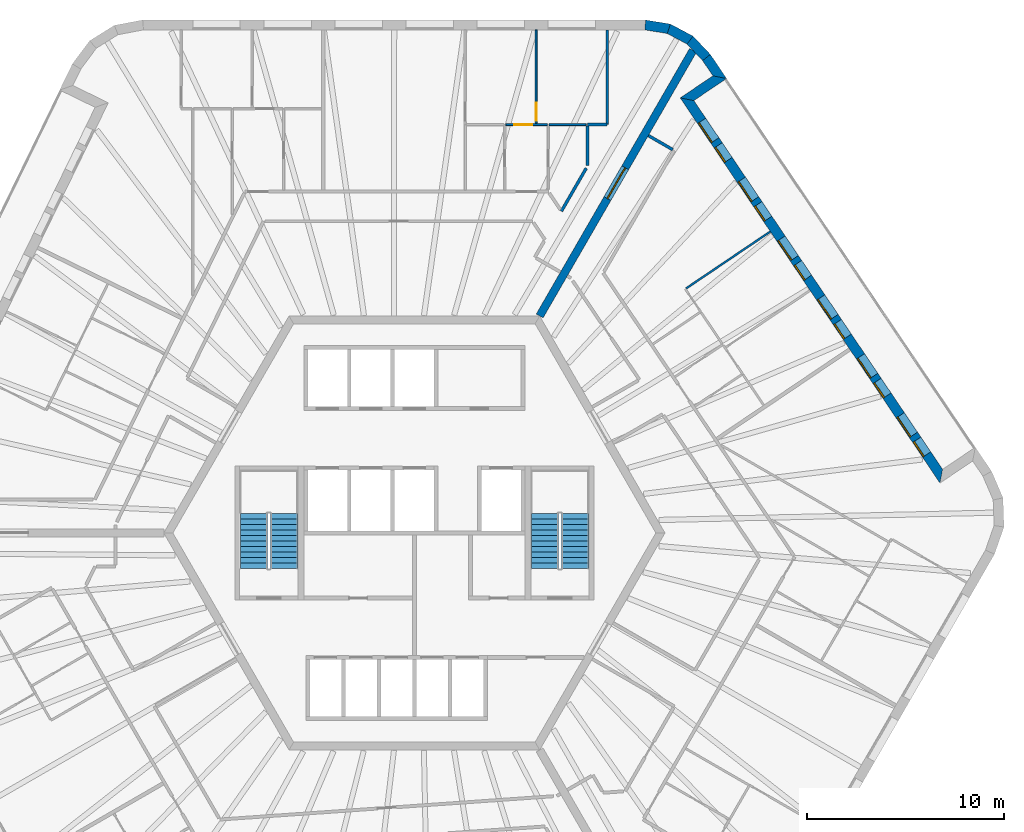
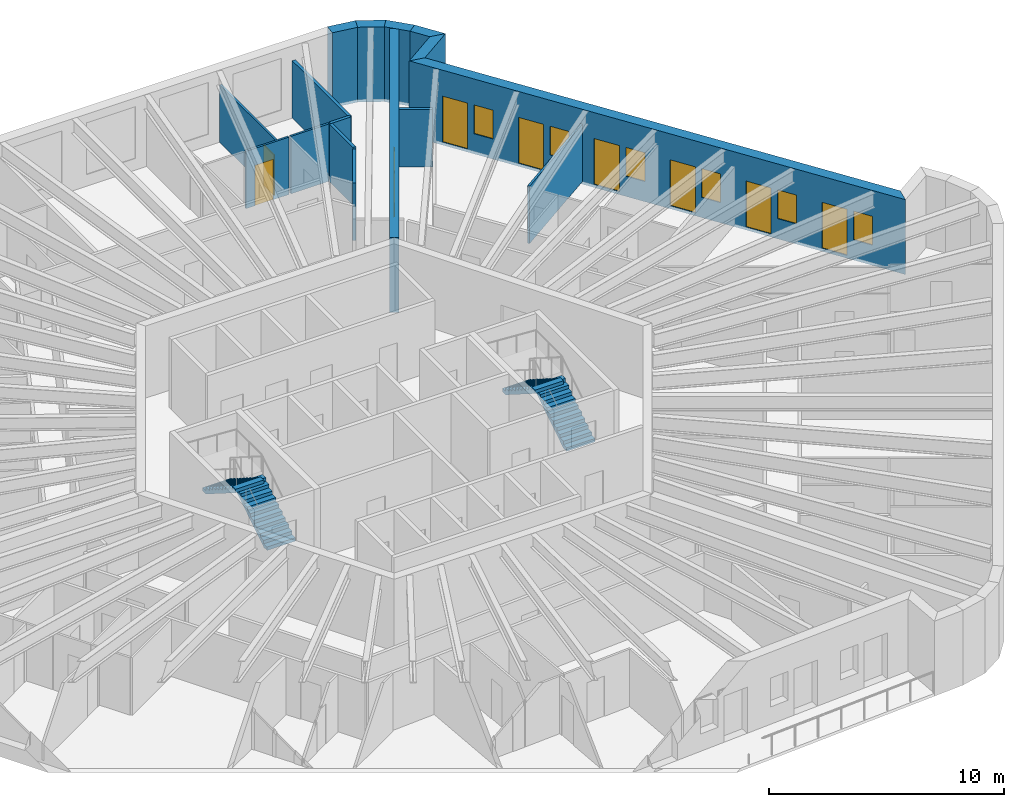
# One storey, part 11 of 12: 16 walls, 9 doors, 6 windows, 4 stair flights, 15 openings, 2 elements without a shape of their own.
"""IFC4 building model written with IfcOpenShell, lengths in metres."""

import ifcopenshell
import ifcopenshell.guid

model = None  # the IFC model being written
_history = None  # IfcOwnerHistory: only IFC2X3 demands one
_inside = {}  # id of a spatial element -> (the spatial element, [elements in it])
_under = {}  # id of a project, library or spatial element -> (it, [spatial elements below it])
_declared = {}  # id of a project -> (the project, [libraries it declares])
_typed = {}  # id of a type object -> (the type object, [elements of that type])
_made_of = {}  # id of a material, layer set ... -> (it, [elements and type objects made of it])


def new_model(schema):
    """Start an empty IFC model of exactly this schema.

    Asked for "IFC4X3", IfcOpenShell would pick the latest addendum, in which some entities
    have other attributes; the version numbers below select the first issue.
    IFC2X3 requires an IfcOwnerHistory on every rooted entity: one is made here for all.
    """
    global model, _history
    if schema == "IFC4X3":
        model = ifcopenshell.file(schema_version=(4, 3, 0, 0))
    else:
        model = ifcopenshell.file(schema=schema)
    _inside.clear()
    _under.clear()
    _declared.clear()
    _typed.clear()
    _made_of.clear()
    _history = None
    if model.schema == "IFC2X3":
        org = make("IfcOrganization", Name="unknown")
        user = make(
            "IfcPersonAndOrganization",
            ThePerson=make("IfcPerson", FamilyName="unknown"),
            TheOrganization=org,
        )
        app = make(
            "IfcApplication",
            ApplicationDeveloper=org,
            Version="unknown",
            ApplicationFullName="unknown",
            ApplicationIdentifier="unknown",
        )
        _history = make(
            "IfcOwnerHistory",
            OwningUser=user,
            OwningApplication=app,
            ChangeAction="ADDED",
            CreationDate=0,
        )
    return model


def make(cls, **values):
    """One entity of the class cls with the attributes given. An attribute that is None is left unset."""
    return model.create_entity(
        cls, **{name: value for name, value in values.items() if value is not None}
    )


def rooted(cls, **values):
    """An entity with a GlobalId (a new one), such as an element, a storey or a relation."""
    return make(cls, GlobalId=ifcopenshell.guid.new(), OwnerHistory=_history, **values)


def si_unit(unit_type, name, prefix=None):
    """IfcSIUnit, for example si_unit("LENGTHUNIT", "METRE", prefix="MILLI")."""
    return make("IfcSIUnit", UnitType=unit_type, Prefix=prefix, Name=name)


def assignment(units):
    """IfcUnitAssignment: the units of a project."""
    return None if units is None else make("IfcUnitAssignment", Units=units)


def point(xyz):
    """IfcCartesianPoint."""
    return None if xyz is None else make("IfcCartesianPoint", Coordinates=xyz)


def direction(xyz):
    """IfcDirection."""
    return None if xyz is None else make("IfcDirection", DirectionRatios=xyz)


def frame(location, z_axis=None, x_axis=None):
    """IfcAxis2Placement3D, a coordinate frame: its origin and axes. An axis left out is left unset."""
    return make(
        "IfcAxis2Placement3D",
        Location=point(location),
        Axis=direction(z_axis),
        RefDirection=direction(x_axis),
    )


def frame_2d(location, x_axis=None):
    """IfcAxis2Placement2D, a coordinate frame in the plane: its origin and x axis."""
    return make(
        "IfcAxis2Placement2D", Location=point(location), RefDirection=direction(x_axis)
    )


def origin():
    """The frame at (0, 0, 0) with its axes left unset."""
    return frame((0.0, 0.0, 0.0))


def place(relative_to, where):
    """IfcLocalPlacement: puts the frame where relative to a parent placement (None: the world)."""
    return make(
        "IfcLocalPlacement", PlacementRelTo=relative_to, RelativePlacement=where
    )


def context(
    kind, dimensions, precision=None, world=None, true_north=None, identifier=None
):
    """IfcGeometricRepresentationContext, for example the 3D "Model" context."""
    return make(
        "IfcGeometricRepresentationContext",
        ContextIdentifier=identifier,
        ContextType=kind,
        CoordinateSpaceDimension=dimensions,
        Precision=precision,
        WorldCoordinateSystem=world,
        TrueNorth=true_north,
    )


def subcontext(parent, identifier, kind, view, scale=None):
    """IfcGeometricRepresentationSubContext, for example "Body" below "Model"."""
    return make(
        "IfcGeometricRepresentationSubContext",
        ContextIdentifier=identifier,
        ContextType=kind,
        ParentContext=parent,
        TargetScale=scale,
        TargetView=view,
    )


def project(units=None, contexts=None):
    """IfcProject with its units and contexts."""
    return rooted(
        "IfcProject",
        Name="project",
        RepresentationContexts=contexts,
        UnitsInContext=assignment(units),
    )


def spatial(cls, under=None, at=None, **own):
    """A site, building, storey or space (cls), placed at a placement, below another one or the project."""
    s = rooted(cls, ObjectPlacement=at, **own)
    if under is not None:
        _under.setdefault(under.id(), (under, []))[1].append(s)
    return s


def polyline(points):
    """IfcPolyline through the points."""
    return make("IfcPolyline", Points=[point(p) for p in points])


def profile(cls, at=None, kind="AREA", **sizes):
    """A parametric profile (cls). Its sizes go by their IFC names, for example OverallWidth=200.0."""
    return make(cls, ProfileType=kind, Position=at, **sizes)


def rectangle(**sizes):
    """IfcRectangleProfileDef."""
    return profile("IfcRectangleProfileDef", **sizes)


def outline(outer, holes=None, kind="AREA"):
    """IfcArbitraryClosedProfileDef: a profile drawn as a closed curve; with holes, ...WithVoids."""
    if holes is None:
        return make("IfcArbitraryClosedProfileDef", ProfileType=kind, OuterCurve=outer)
    return make(
        "IfcArbitraryProfileDefWithVoids",
        ProfileType=kind,
        OuterCurve=outer,
        InnerCurves=holes,
    )


def extrude(swept, where, along, depth):
    """IfcExtrudedAreaSolid: the profile swept, set in the frame where, extruded along a direction by depth."""
    return make(
        "IfcExtrudedAreaSolid",
        SweptArea=swept,
        Position=where,
        ExtrudedDirection=direction(along),
        Depth=depth,
    )


def shape(context_of_items, identifier, shape_type, items):
    """IfcShapeRepresentation: the items that make up one representation, for example the "Body"."""
    return make(
        "IfcShapeRepresentation",
        ContextOfItems=context_of_items,
        RepresentationIdentifier=identifier,
        RepresentationType=shape_type,
        Items=items,
    )


def material(Name=None, Category=None):
    """IfcMaterial."""
    return make("IfcMaterial", Name=Name, Category=Category)


def layer(
    of_material, thickness, ventilated=None, Name=None, Category=None, Priority=None
):
    """IfcMaterialLayer: one layer of a wall or slab, of a material (None: an air gap)."""
    return make(
        "IfcMaterialLayer",
        Material=of_material,
        LayerThickness=thickness,
        IsVentilated=ventilated,
        Name=Name,
        Category=Category,
        Priority=Priority,
    )


def layer_set(layers, Name=None):
    """IfcMaterialLayerSet."""
    return make("IfcMaterialLayerSet", MaterialLayers=layers, LayerSetName=Name)


def made_of(thing, what):
    """Note that an element or type object is made of a material, layer set ...; save() writes the relation."""
    if what is not None:
        _made_of.setdefault(what.id(), (what, []))[1].append(thing)
    return thing


def type_object(cls, material=None, **own):
    """A type object (cls), such as IfcWallType, which elements share."""
    return made_of(rooted(cls, **own), material)


def element(
    cls,
    number,
    at=None,
    inside=None,
    cuts=None,
    type_object=None,
    material=None,
    context=None,
    identifier="Body",
    shape_type=None,
    held_by="IfcProductDefinitionShape",
    body=None,
    shapes=None,
    **own,
):
    """One element of the class cls, such as IfcWall. Its Tag is "e" and its number.

    at: its placement. inside: the storey or other place that contains it. cuts: it is an
    opening in that element (IfcRelVoidsElement). A single representation is given by context,
    identifier, shape_type and body (its items); several are given by shapes. held_by: the class
    of the entity that holds the representations. save() writes the other relations.
    """
    e = rooted(cls, Tag="e%d" % number, ObjectPlacement=at, **own)
    if body is not None:
        shapes = [shape(context, identifier, shape_type, body)]
    if shapes is not None:
        e.Representation = make(held_by, Representations=shapes)
    if inside is not None:
        _inside.setdefault(inside.id(), (inside, []))[1].append(e)
    if cuts is not None:
        rooted(
            "IfcRelVoidsElement", RelatingBuildingElement=cuts, RelatedOpeningElement=e
        )
    if type_object is not None:
        _typed.setdefault(type_object.id(), (type_object, []))[1].append(e)
    return made_of(e, material)


def fill(opening, filler):
    """IfcRelFillsElement: the door or window that sits in an opening."""
    return rooted(
        "IfcRelFillsElement",
        RelatingOpeningElement=opening,
        RelatedBuildingElement=filler,
    )


def aggregate(whole, parts):
    """IfcRelAggregates: a whole, such as a stair, and the parts it consists of."""
    return rooted("IfcRelAggregates", RelatingObject=whole, RelatedObjects=parts)


def save(model, path):
    """Write the relations noted so far, then the file.

    IfcRelAggregates (storeys below a building ...), IfcRelContainedInSpatialStructure (elements
    in a storey), IfcRelDefinesByType, IfcRelAssociatesMaterial and IfcRelDeclares: one each for
    every whole, place, type object, material and project.
    """
    for whole, parts in _under.values():
        aggregate(whole, parts)
    for where, things in _inside.values():
        rooted(
            "IfcRelContainedInSpatialStructure",
            RelatedElements=things,
            RelatingStructure=where,
        )
    for kind, things in _typed.values():
        rooted("IfcRelDefinesByType", RelatedObjects=things, RelatingType=kind)
    for what, things in _made_of.values():
        rooted("IfcRelAssociatesMaterial", RelatedObjects=things, RelatingMaterial=what)
    for by, libraries in _declared.values():
        rooted("IfcRelDeclares", RelatingContext=by, RelatedDefinitions=libraries)
    model.write(path)


model = new_model("IFC4")

# Units and contexts
model_context = context("Model", 3, precision=1e-05, world=origin(), true_north=direction((0.0, 1.0)))
body_context = subcontext(model_context, "Body", "Model", "MODEL_VIEW")
ifc_project = project(units=[si_unit("LENGTHUNIT", "METRE"), si_unit("AREAUNIT", "SQUARE_METRE"), si_unit("VOLUMEUNIT", "CUBIC_METRE"), si_unit("PLANEANGLEUNIT", "RADIAN"), si_unit("MASSUNIT", "GRAM", prefix="KILO")], contexts=[model_context])

# Site, building, storey
site_placement = place(None, origin())
site = spatial("IfcSite", under=ifc_project, at=site_placement, CompositionType="ELEMENT")
building_placement = place(site_placement, origin())
building = spatial("IfcBuilding", under=site, at=building_placement, Name="Tarnside Tower", CompositionType="ELEMENT")
storey_placement = place(building_placement, frame((0.0, 0.0, 287.39990234375)))
storey = spatial("IfcBuildingStorey", under=building, at=storey_placement, Name="L69", CompositionType="ELEMENT", Elevation=287.39990234375)

# Wall
ifc_material_1 = material(Name="Gypsum board partition on steel studs", Category="steel")
ifc_layer_1 = layer(ifc_material_1, 0.10009765625)
ifc_layer_set_1 = layer_set([ifc_layer_1], Name="Bathroom wall 100")
wall_type_1 = type_object("IfcWallType", Name="Bathroom wall 100", PredefinedType="PARTITIONING", material=ifc_layer_set_1)
wall_1_placement = place(storey_placement, frame((6.836181640625, 20.699951171875, 0.0), z_axis=(0.0, 0.0, 1.0), x_axis=(1.0, 0.0, 0.0)))
element("IfcWall", 1, at=wall_1_placement, inside=storey, type_object=wall_type_1, Name="Bathroom wall 22094", PredefinedType="PARTITIONING", context=body_context, shape_type="SweptSolid", body=[
    extrude(rectangle(XDim=1.875, YDim=0.10009765625, at=frame_2d((0.9375, 0.0))), origin(), (0.0, 0.0, 1.0), 2.98779296875),
])

# Wall, opening, door
ifc_material_2 = material(Name="Concrete C60/75", Category="concrete")
ifc_layer_2 = layer(ifc_material_2, 0.39990234375)
ifc_layer_set_2 = layer_set([ifc_layer_2], Name="Core wall Z3 400 C60/75")
wall_type_2 = type_object("IfcWallType", Name="Core wall Z3 400 C60/75", PredefinedType="SHEAR", material=ifc_layer_set_2)
wall_2_placement = place(storey_placement, frame((6.350830078125, 11.0, -0.14990234375), z_axis=(0.0, 0.0, 1.0), x_axis=(0.499998894578, 0.866026041999, 0.0)))
wall_2 = element("IfcWall", 2, at=wall_2_placement, inside=storey, type_object=wall_type_2, Name="L69 spine wall 1", PredefinedType="SHEAR", context=body_context, shape_type="SweptSolid", body=[
    extrude(rectangle(XDim=15.54443359375, YDim=0.39990234375, at=frame_2d((7.772216796875, 0.0))), origin(), (0.0, 0.0, 1.0), 3.89990234375),
])
opening_1_placement = place(wall_2_placement, frame((6.872314453125, 0.0, 0.14990234375)))
opening_1 = element("IfcOpeningElement", 3, at=opening_1_placement, cuts=wall_2, Name="Opening CD-SPN", PredefinedType="OPENING", context=body_context, shape_type="SweptSolid", body=[
    extrude(rectangle(XDim=1.800048828125, YDim=2.39990234375, at=frame_2d((0.89990234375, 1.199951171875))), frame((0.0, 0.2099609375, 0.0), z_axis=(0.0, -1.0, 0.0), x_axis=(1.0, 0.0, 0.0)), (0.0, 0.0, 1.0), 0.419921875),
])
ifc_material_3 = material(Name="Steel fire door", Category="steel")
door_type_1 = type_object("IfcDoorType", Name="Spine passage double door FD60 1800x2400", OperationType="NOTDEFINED", PredefinedType="DOOR", material=ifc_material_3)
door_1_placement = place(opening_1_placement, origin())
door_1 = element("IfcDoor", 4, at=door_1_placement, inside=storey, type_object=door_type_1, Name="L69 spine passage door 1", OperationType="DOUBLE_DOOR_SINGLE_SWING", OverallHeight=2.39990234375, OverallWidth=1.800048828125, PredefinedType="DOOR", context=body_context, shape_type="SweptSolid", body=[
    extrude(rectangle(XDim=1.800048828125, YDim=2.39990234375, at=frame_2d((0.89990234375, 1.199951171875))), frame((0.0, 0.02490234375, 0.0), z_axis=(0.0, -1.0, 0.0), x_axis=(1.0, 0.0, 0.0)), (0.0, 0.0, 1.0), 0.050048828125),
])
fill(opening_1, door_1)

# Walls
ifc_layer_3 = layer(ifc_material_1, 0.14990234375)
ifc_layer_set_3 = layer_set([ifc_layer_3], Name="Corridor wall 150 EI 60")
wall_type_3 = type_object("IfcWallType", Name="Corridor wall 150 EI 60", PredefinedType="PARTITIONING", material=ifc_layer_set_3)
wall_3_placement = place(storey_placement, frame((9.77392578125, 20.699951171875, 0.0), z_axis=(0.0, 0.0, 1.0), x_axis=(-1.0, 0.0, 0.0)))
element("IfcWall", 5, at=wall_3_placement, inside=storey, type_object=wall_type_3, Name="Corridor wall 22004", PredefinedType="PARTITIONING", context=body_context, shape_type="SweptSolid", body=[
    extrude(rectangle(XDim=0.991455078125, YDim=0.14990234375, at=frame_2d((0.49560546875, 0.0))), origin(), (0.0, 0.0, 1.0), 2.98779296875),
])
wall_4_placement = place(storey_placement, frame((9.775146484375, 25.5, 0.0), z_axis=(0.0, 0.0, 1.0), x_axis=(0.0, -1.0, 0.0)))
element("IfcWall", 6, at=wall_4_placement, inside=storey, type_object=wall_type_3, Name="Corridor wall 22005", PredefinedType="PARTITIONING", context=body_context, shape_type="SweptSolid", body=[
    extrude(rectangle(XDim=4.798828125, YDim=0.14990234375, at=frame_2d((2.3994140625, 0.0))), origin(), (0.0, 0.0, 1.0), 2.98779296875),
])
wall_5_placement = place(storey_placement, frame((8.7861328125, 20.625, 0.0), z_axis=(0.0, 0.0, 1.0), x_axis=(0.0, -1.0, 0.0)))
element("IfcWall", 7, at=wall_5_placement, inside=storey, type_object=wall_type_3, Name="Corridor wall 22006", PredefinedType="PARTITIONING", context=body_context, shape_type="SweptSolid", body=[
    extrude(rectangle(XDim=2.007080078125, YDim=0.14990234375, at=frame_2d((1.00341796875, 0.0))), origin(), (0.0, 0.0, 1.0), 2.98779296875),
])
wall_6_placement = place(storey_placement, frame((8.711181640625, 18.488037109375, 0.0), z_axis=(0.0, 0.0, 1.0), x_axis=(-0.500075402517, -0.865981865744, 0.0)))
element("IfcWall", 8, at=wall_6_placement, inside=storey, type_object=wall_type_3, Name="Corridor wall 22007", PredefinedType="PARTITIONING", context=body_context, shape_type="SweptSolid", body=[
    extrude(rectangle(XDim=2.5146484375, YDim=0.14990234375, at=frame_2d((1.25732421875, 0.0))), origin(), (0.0, 0.0, 1.0), 2.98779296875),
])
wall_7_placement = place(storey_placement, frame((13.09423828125, 19.429931640625, 0.0), z_axis=(0.0, 0.0, 1.0), x_axis=(-0.866062911188, 0.499935029643, 0.0)))
element("IfcWall", 9, at=wall_7_placement, inside=storey, type_object=wall_type_3, Name="Corridor wall 22068", PredefinedType="PARTITIONING", context=body_context, shape_type="SweptSolid", body=[
    extrude(rectangle(XDim=1.425048828125, YDim=0.14990234375, at=frame_2d((0.71240234375, 0.0))), origin(), (0.0, 0.0, 1.0), 2.98779296875),
])

# Wall, openings, doors, windows
ifc_material_4 = material(Name="Dark zinc cladding")
ifc_layer_4 = layer(ifc_material_4, 0.10205078125)
ifc_material_5 = material(Name="Concrete C60/75 precast", Category="concrete")
ifc_layer_5 = layer(ifc_material_5, 0.298095703125)
ifc_material_6 = material(Name="Mineral wool insulation")
ifc_layer_6 = layer(ifc_material_6, 0.10009765625)
ifc_layer_set_4 = layer_set([ifc_layer_4, ifc_layer_5, ifc_layer_6], Name="Loggia wall 500 zinc faced")
wall_type_4 = type_object("IfcWallType", Name="Loggia wall 500 zinc faced", PredefinedType="SOLIDWALL", material=ifc_layer_set_4)
wall_8_placement = place(storey_placement, frame((26.705810546875, 2.87890625, -0.14990234375), z_axis=(0.0, 0.0, 1.0), x_axis=(-0.559197891507, 0.829034208061, 0.0)))
wall_8 = element("IfcWall", 10, at=wall_8_placement, inside=storey, type_object=wall_type_4, Name="Tube wall L69 F6 back 30", PredefinedType="SOLIDWALL", context=body_context, shape_type="SweptSolid", body=[
    extrude(outline(polyline([(0.25, -0.25), (22.794677734375, -0.25), (23.294677734375, 0.25), (-0.25, 0.25), (0.25, -0.25)])), origin(), (0.0, 0.0, 1.0), 3.89990234375),
])
opening_2_placement = place(wall_8_placement, frame((1.322509765625, 0.0, 1.050048828125)))
opening_2 = element("IfcOpeningElement", 11, at=opening_2_placement, cuts=wall_8, Name="Opening WL500", PredefinedType="OPENING", context=body_context, shape_type="SweptSolid", body=[
    extrude(rectangle(XDim=0.89990234375, YDim=1.5, at=frame_2d((0.449951171875, 0.75))), frame((0.0, 0.260009765625, 0.0), z_axis=(0.0, -1.0, 0.0), x_axis=(1.0, 0.0, 0.0)), (0.0, 0.0, 1.0), 0.52001953125),
])
opening_3_placement = place(wall_8_placement, frame((2.5224609375, 0.0, 0.14990234375)))
opening_3 = element("IfcOpeningElement", 12, at=opening_3_placement, cuts=wall_8, Name="Opening DB500", PredefinedType="OPENING", context=body_context, shape_type="SweptSolid", body=[
    extrude(rectangle(XDim=1.199951171875, YDim=2.39990234375, at=frame_2d((0.60009765625, 1.199951171875))), frame((0.0, 0.260009765625, 0.0), z_axis=(0.0, -1.0, 0.0), x_axis=(1.0, 0.0, 0.0)), (0.0, 0.0, 1.0), 0.52001953125),
])
opening_4_placement = place(wall_8_placement, frame((4.92236328125, 0.0, 1.050048828125)))
opening_4 = element("IfcOpeningElement", 13, at=opening_4_placement, cuts=wall_8, Name="Opening WL500", PredefinedType="OPENING", context=body_context, shape_type="SweptSolid", body=[
    extrude(rectangle(XDim=0.89990234375, YDim=1.5, at=frame_2d((0.449951171875, 0.75))), frame((0.0, 0.260009765625, 0.0), z_axis=(0.0, -1.0, 0.0), x_axis=(1.0, 0.0, 0.0)), (0.0, 0.0, 1.0), 0.52001953125),
])
opening_5_placement = place(wall_8_placement, frame((6.122314453125, 0.0, 0.14990234375)))
opening_5 = element("IfcOpeningElement", 14, at=opening_5_placement, cuts=wall_8, Name="Opening DB500", PredefinedType="OPENING", context=body_context, shape_type="SweptSolid", body=[
    extrude(rectangle(XDim=1.199951171875, YDim=2.39990234375, at=frame_2d((0.60009765625, 1.199951171875))), frame((0.0, 0.260009765625, 0.0), z_axis=(0.0, -1.0, 0.0), x_axis=(1.0, 0.0, 0.0)), (0.0, 0.0, 1.0), 0.52001953125),
])
opening_6_placement = place(wall_8_placement, frame((8.5224609375, 0.0, 1.050048828125)))
opening_6 = element("IfcOpeningElement", 15, at=opening_6_placement, cuts=wall_8, Name="Opening WL500", PredefinedType="OPENING", context=body_context, shape_type="SweptSolid", body=[
    extrude(rectangle(XDim=0.89990234375, YDim=1.5, at=frame_2d((0.449951171875, 0.75))), frame((0.0, 0.260009765625, 0.0), z_axis=(0.0, -1.0, 0.0), x_axis=(1.0, 0.0, 0.0)), (0.0, 0.0, 1.0), 0.52001953125),
])
opening_7_placement = place(wall_8_placement, frame((9.722412109375, 0.0, 0.14990234375)))
opening_7 = element("IfcOpeningElement", 16, at=opening_7_placement, cuts=wall_8, Name="Opening DB500", PredefinedType="OPENING", context=body_context, shape_type="SweptSolid", body=[
    extrude(rectangle(XDim=1.199951171875, YDim=2.39990234375, at=frame_2d((0.60009765625, 1.199951171875))), frame((0.0, 0.260009765625, 0.0), z_axis=(0.0, -1.0, 0.0), x_axis=(1.0, 0.0, 0.0)), (0.0, 0.0, 1.0), 0.52001953125),
])
opening_8_placement = place(wall_8_placement, frame((12.122314453125, 0.0, 1.050048828125)))
opening_8 = element("IfcOpeningElement", 17, at=opening_8_placement, cuts=wall_8, Name="Opening WL500", PredefinedType="OPENING", context=body_context, shape_type="SweptSolid", body=[
    extrude(rectangle(XDim=0.89990234375, YDim=1.5, at=frame_2d((0.449951171875, 0.75))), frame((0.0, 0.260009765625, 0.0), z_axis=(0.0, -1.0, 0.0), x_axis=(1.0, 0.0, 0.0)), (0.0, 0.0, 1.0), 0.52001953125),
])
opening_9_placement = place(wall_8_placement, frame((13.322509765625, 0.0, 0.14990234375)))
opening_9 = element("IfcOpeningElement", 18, at=opening_9_placement, cuts=wall_8, Name="Opening DB500", PredefinedType="OPENING", context=body_context, shape_type="SweptSolid", body=[
    extrude(rectangle(XDim=1.199951171875, YDim=2.39990234375, at=frame_2d((0.60009765625, 1.199951171875))), frame((0.0, 0.260009765625, 0.0), z_axis=(0.0, -1.0, 0.0), x_axis=(1.0, 0.0, 0.0)), (0.0, 0.0, 1.0), 0.52001953125),
])
opening_10_placement = place(wall_8_placement, frame((15.722412109375, 0.0, 1.050048828125)))
opening_10 = element("IfcOpeningElement", 19, at=opening_10_placement, cuts=wall_8, Name="Opening WL500", PredefinedType="OPENING", context=body_context, shape_type="SweptSolid", body=[
    extrude(rectangle(XDim=0.89990234375, YDim=1.5, at=frame_2d((0.449951171875, 0.75))), frame((0.0, 0.260009765625, 0.0), z_axis=(0.0, -1.0, 0.0), x_axis=(1.0, 0.0, 0.0)), (0.0, 0.0, 1.0), 0.52001953125),
])
opening_11_placement = place(wall_8_placement, frame((16.92236328125, 0.0, 0.14990234375)))
opening_11 = element("IfcOpeningElement", 20, at=opening_11_placement, cuts=wall_8, Name="Opening DB500", PredefinedType="OPENING", context=body_context, shape_type="SweptSolid", body=[
    extrude(rectangle(XDim=1.199951171875, YDim=2.39990234375, at=frame_2d((0.60009765625, 1.199951171875))), frame((0.0, 0.260009765625, 0.0), z_axis=(0.0, -1.0, 0.0), x_axis=(1.0, 0.0, 0.0)), (0.0, 0.0, 1.0), 0.52001953125),
])
opening_12_placement = place(wall_8_placement, frame((19.322509765625, 0.0, 1.050048828125)))
opening_12 = element("IfcOpeningElement", 21, at=opening_12_placement, cuts=wall_8, Name="Opening WL500", PredefinedType="OPENING", context=body_context, shape_type="SweptSolid", body=[
    extrude(rectangle(XDim=0.89990234375, YDim=1.5, at=frame_2d((0.449951171875, 0.75))), frame((0.0, 0.260009765625, 0.0), z_axis=(0.0, -1.0, 0.0), x_axis=(1.0, 0.0, 0.0)), (0.0, 0.0, 1.0), 0.52001953125),
])
opening_13_placement = place(wall_8_placement, frame((20.5224609375, 0.0, 0.14990234375)))
opening_13 = element("IfcOpeningElement", 22, at=opening_13_placement, cuts=wall_8, Name="Opening DB500", PredefinedType="OPENING", context=body_context, shape_type="SweptSolid", body=[
    extrude(rectangle(XDim=1.199951171875, YDim=2.39990234375, at=frame_2d((0.60009765625, 1.199951171875))), frame((0.0, 0.260009765625, 0.0), z_axis=(0.0, -1.0, 0.0), x_axis=(1.0, 0.0, 0.0)), (0.0, 0.0, 1.0), 0.52001953125),
])
ifc_material_7 = material(Name="Aluminium-framed double glazing", Category="aluminium")
door_type_2 = type_object("IfcDoorType", Name="Balcony sliding door 1200 x 2400 in 500 wall", OperationType="SLIDING_TO_LEFT", PredefinedType="DOOR", material=ifc_material_7)
door_2_placement = place(opening_3_placement, frame((0.0, 0.1748046875, 0.0)))
door_2 = element("IfcDoor", 23, at=door_2_placement, inside=storey, type_object=door_type_2, Name="E.BD.L69.F6.00", OperationType="SLIDING_TO_LEFT", OverallHeight=2.39990234375, OverallWidth=1.199951171875, PredefinedType="DOOR", context=body_context, shape_type="SweptSolid", body=[
    extrude(rectangle(XDim=1.199951171875, YDim=2.39990234375, at=frame_2d((0.60009765625, 1.199951171875))), frame((0.0, 0.02490234375, 0.0), z_axis=(0.0, -1.0, 0.0), x_axis=(1.0, 0.0, 0.0)), (0.0, 0.0, 1.0), 0.050048828125),
])
fill(opening_3, door_2)
door_3_placement = place(opening_5_placement, frame((0.0, 0.1748046875, 0.0)))
door_3 = element("IfcDoor", 24, at=door_3_placement, inside=storey, type_object=door_type_2, Name="E.BD.L69.F6.01", OperationType="SLIDING_TO_LEFT", OverallHeight=2.39990234375, OverallWidth=1.199951171875, PredefinedType="DOOR", context=body_context, shape_type="SweptSolid", body=[
    extrude(rectangle(XDim=1.199951171875, YDim=2.39990234375, at=frame_2d((0.60009765625, 1.199951171875))), frame((0.0, 0.02490234375, 0.0), z_axis=(0.0, -1.0, 0.0), x_axis=(1.0, 0.0, 0.0)), (0.0, 0.0, 1.0), 0.050048828125),
])
fill(opening_5, door_3)
door_4_placement = place(opening_7_placement, frame((0.0, 0.1748046875, 0.0)))
door_4 = element("IfcDoor", 25, at=door_4_placement, inside=storey, type_object=door_type_2, Name="E.BD.L69.F6.02", OperationType="SLIDING_TO_LEFT", OverallHeight=2.39990234375, OverallWidth=1.199951171875, PredefinedType="DOOR", context=body_context, shape_type="SweptSolid", body=[
    extrude(rectangle(XDim=1.199951171875, YDim=2.39990234375, at=frame_2d((0.60009765625, 1.199951171875))), frame((0.0, 0.02490234375, 0.0), z_axis=(0.0, -1.0, 0.0), x_axis=(1.0, 0.0, 0.0)), (0.0, 0.0, 1.0), 0.050048828125),
])
fill(opening_7, door_4)
door_5_placement = place(opening_9_placement, frame((0.0, 0.1748046875, 0.0)))
door_5 = element("IfcDoor", 26, at=door_5_placement, inside=storey, type_object=door_type_2, Name="E.BD.L69.F6.03", OperationType="SLIDING_TO_LEFT", OverallHeight=2.39990234375, OverallWidth=1.199951171875, PredefinedType="DOOR", context=body_context, shape_type="SweptSolid", body=[
    extrude(rectangle(XDim=1.199951171875, YDim=2.39990234375, at=frame_2d((0.60009765625, 1.199951171875))), frame((0.0, 0.02490234375, 0.0), z_axis=(0.0, -1.0, 0.0), x_axis=(1.0, 0.0, 0.0)), (0.0, 0.0, 1.0), 0.050048828125),
])
fill(opening_9, door_5)
door_6_placement = place(opening_11_placement, frame((0.0, 0.1748046875, 0.0)))
door_6 = element("IfcDoor", 27, at=door_6_placement, inside=storey, type_object=door_type_2, Name="E.BD.L69.F6.04", OperationType="SLIDING_TO_LEFT", OverallHeight=2.39990234375, OverallWidth=1.199951171875, PredefinedType="DOOR", context=body_context, shape_type="SweptSolid", body=[
    extrude(rectangle(XDim=1.199951171875, YDim=2.39990234375, at=frame_2d((0.60009765625, 1.199951171875))), frame((0.0, 0.02490234375, 0.0), z_axis=(0.0, -1.0, 0.0), x_axis=(1.0, 0.0, 0.0)), (0.0, 0.0, 1.0), 0.050048828125),
])
fill(opening_11, door_6)
door_7_placement = place(opening_13_placement, frame((0.0, 0.1748046875, 0.0)))
door_7 = element("IfcDoor", 28, at=door_7_placement, inside=storey, type_object=door_type_2, Name="E.BD.L69.F6.05", OperationType="SLIDING_TO_LEFT", OverallHeight=2.39990234375, OverallWidth=1.199951171875, PredefinedType="DOOR", context=body_context, shape_type="SweptSolid", body=[
    extrude(rectangle(XDim=1.199951171875, YDim=2.39990234375, at=frame_2d((0.60009765625, 1.199951171875))), frame((0.0, 0.02490234375, 0.0), z_axis=(0.0, -1.0, 0.0), x_axis=(1.0, 0.0, 0.0)), (0.0, 0.0, 1.0), 0.050048828125),
])
fill(opening_13, door_7)
window_type = type_object("IfcWindowType", Name="Loggia window 900 x 1500 in 500 wall", PartitioningType="SINGLE_PANEL", PredefinedType="WINDOW", material=ifc_material_7)
window_1_placement = place(opening_2_placement, frame((0.0, 0.179931640625, 0.0)))
window_1 = element("IfcWindow", 29, at=window_1_placement, inside=storey, type_object=window_type, Name="E.LW.L69.F6.00", OverallHeight=1.5, OverallWidth=0.89990234375, PartitioningType="SINGLE_PANEL", PredefinedType="WINDOW", context=body_context, shape_type="SweptSolid", body=[
    extrude(rectangle(XDim=0.89990234375, YDim=1.5, at=frame_2d((0.449951171875, 0.75))), frame((0.0, 0.030029296875, 0.0), z_axis=(0.0, -1.0, 0.0), x_axis=(1.0, 0.0, 0.0)), (0.0, 0.0, 1.0), 0.06005859375),
])
fill(opening_2, window_1)
window_2_placement = place(opening_4_placement, frame((0.0, 0.179931640625, 0.0)))
window_2 = element("IfcWindow", 30, at=window_2_placement, inside=storey, type_object=window_type, Name="E.LW.L69.F6.01", OverallHeight=1.5, OverallWidth=0.89990234375, PartitioningType="SINGLE_PANEL", PredefinedType="WINDOW", context=body_context, shape_type="SweptSolid", body=[
    extrude(rectangle(XDim=0.89990234375, YDim=1.5, at=frame_2d((0.449951171875, 0.75))), frame((0.0, 0.030029296875, 0.0), z_axis=(0.0, -1.0, 0.0), x_axis=(1.0, 0.0, 0.0)), (0.0, 0.0, 1.0), 0.06005859375),
])
fill(opening_4, window_2)
window_3_placement = place(opening_6_placement, frame((0.0, 0.179931640625, 0.0)))
window_3 = element("IfcWindow", 31, at=window_3_placement, inside=storey, type_object=window_type, Name="E.LW.L69.F6.02", OverallHeight=1.5, OverallWidth=0.89990234375, PartitioningType="SINGLE_PANEL", PredefinedType="WINDOW", context=body_context, shape_type="SweptSolid", body=[
    extrude(rectangle(XDim=0.89990234375, YDim=1.5, at=frame_2d((0.449951171875, 0.75))), frame((0.0, 0.030029296875, 0.0), z_axis=(0.0, -1.0, 0.0), x_axis=(1.0, 0.0, 0.0)), (0.0, 0.0, 1.0), 0.06005859375),
])
fill(opening_6, window_3)
window_4_placement = place(opening_8_placement, frame((0.0, 0.179931640625, 0.0)))
window_4 = element("IfcWindow", 32, at=window_4_placement, inside=storey, type_object=window_type, Name="E.LW.L69.F6.03", OverallHeight=1.5, OverallWidth=0.89990234375, PartitioningType="SINGLE_PANEL", PredefinedType="WINDOW", context=body_context, shape_type="SweptSolid", body=[
    extrude(rectangle(XDim=0.89990234375, YDim=1.5, at=frame_2d((0.449951171875, 0.75))), frame((0.0, 0.030029296875, 0.0), z_axis=(0.0, -1.0, 0.0), x_axis=(1.0, 0.0, 0.0)), (0.0, 0.0, 1.0), 0.06005859375),
])
fill(opening_8, window_4)
window_5_placement = place(opening_10_placement, frame((0.0, 0.179931640625, 0.0)))
window_5 = element("IfcWindow", 33, at=window_5_placement, inside=storey, type_object=window_type, Name="E.LW.L69.F6.04", OverallHeight=1.5, OverallWidth=0.89990234375, PartitioningType="SINGLE_PANEL", PredefinedType="WINDOW", context=body_context, shape_type="SweptSolid", body=[
    extrude(rectangle(XDim=0.89990234375, YDim=1.5, at=frame_2d((0.449951171875, 0.75))), frame((0.0, 0.030029296875, 0.0), z_axis=(0.0, -1.0, 0.0), x_axis=(1.0, 0.0, 0.0)), (0.0, 0.0, 1.0), 0.06005859375),
])
fill(opening_10, window_5)
window_6_placement = place(opening_12_placement, frame((0.0, 0.179931640625, 0.0)))
window_6 = element("IfcWindow", 34, at=window_6_placement, inside=storey, type_object=window_type, Name="E.LW.L69.F6.05", OverallHeight=1.5, OverallWidth=0.89990234375, PartitioningType="SINGLE_PANEL", PredefinedType="WINDOW", context=body_context, shape_type="SweptSolid", body=[
    extrude(rectangle(XDim=0.89990234375, YDim=1.5, at=frame_2d((0.449951171875, 0.75))), frame((0.0, 0.030029296875, 0.0), z_axis=(0.0, -1.0, 0.0), x_axis=(1.0, 0.0, 0.0)), (0.0, 0.0, 1.0), 0.06005859375),
])
fill(opening_12, window_6)

# Walls
wall_9_placement = place(storey_placement, frame((13.8193359375, 21.983642578125, -0.14990234375), z_axis=(0.0, 0.0, 1.0), x_axis=(0.829052389485, 0.559170935841, 0.0)))
element("IfcWall", 35, at=wall_9_placement, inside=storey, type_object=wall_type_4, Name="Tube wall L69 F6 return 31", PredefinedType="SOLIDWALL", context=body_context, shape_type="SweptSolid", body=[
    extrude(outline(polyline([(0.25, -0.25), (2.25, -0.25), (1.75, 0.25), (-0.25, 0.25), (0.25, -0.25)])), origin(), (0.0, 0.0, 1.0), 3.89990234375),
])
wall_10_placement = place(storey_placement, frame((15.4775390625, 23.10205078125, -0.14990234375), z_axis=(0.0, 0.0, 1.0), x_axis=(-0.559245726333, 0.829001940636, 0.0)))
element("IfcWall", 36, at=wall_10_placement, inside=storey, type_object=wall_type_4, Name="Tube wall L69 F6 stub 32", PredefinedType="SOLIDWALL", context=body_context, shape_type="SweptSolid", body=[
    extrude(outline(polyline([(-0.25, -0.25), (1.220703125, -0.25), (1.1796875, 0.25), (0.25, 0.25), (-0.25, -0.25)])), origin(), (0.0, 0.0, 1.0), 3.89990234375),
])

# Wall, opening, door
ifc_layer_7 = layer(ifc_material_1, 0.10009765625)
ifc_layer_set_5 = layer_set([ifc_layer_7], Name="Partition 100")
wall_type_5 = type_object("IfcWallType", Name="Partition 100", PredefinedType="PARTITIONING", material=ifc_layer_set_5)
wall_11_placement = place(storey_placement, frame((6.738037109375, 20.699951171875, 0.0), z_axis=(0.0, 0.0, 1.0), x_axis=(-1.0, 0.0, 0.0)))
wall_11 = element("IfcWall", 37, at=wall_11_placement, inside=storey, type_object=wall_type_5, Name="Partition wall 22089", PredefinedType="PARTITIONING", context=body_context, shape_type="SweptSolid", body=[
    extrude(rectangle(XDim=2.10400390625, YDim=0.10009765625, at=frame_2d((1.052001953125, 0.0))), origin(), (0.0, 0.0, 1.0), 2.98779296875),
])
opening_14_placement = place(wall_11_placement, frame((0.762939453125, 0.0, 0.0)))
opening_14 = element("IfcOpeningElement", 38, at=opening_14_placement, cuts=wall_11, Name="Opening D-I1", PredefinedType="OPENING", context=body_context, shape_type="SweptSolid", body=[
    extrude(rectangle(XDim=0.89990234375, YDim=2.10009765625, at=frame_2d((0.449951171875, 1.050048828125))), frame((0.0, 0.06005859375, 0.0), z_axis=(0.0, -1.0, 0.0), x_axis=(1.0, 0.0, 0.0)), (0.0, 0.0, 1.0), 0.1201171875),
])
ifc_material_8 = material(Name="Timber door leaf", Category="wood")
door_type_3 = type_object("IfcDoorType", Name="Internal door 900", OperationType="NOTDEFINED", PredefinedType="DOOR", material=ifc_material_8)
door_8_placement = place(opening_14_placement, origin())
door_8 = element("IfcDoor", 39, at=door_8_placement, inside=storey, type_object=door_type_3, Name="Internal door 22005", OperationType="SINGLE_SWING_RIGHT", OverallHeight=2.10009765625, OverallWidth=0.89990234375, PredefinedType="DOOR", context=body_context, shape_type="SweptSolid", body=[
    extrude(rectangle(XDim=0.89990234375, YDim=2.10009765625, at=frame_2d((0.449951171875, 1.050048828125))), frame((0.0, 0.02490234375, 0.0), z_axis=(0.0, -1.0, 0.0), x_axis=(1.0, 0.0, 0.0)), (0.0, 0.0, 1.0), 0.050048828125),
])
fill(opening_14, door_8)

wall_12_placement = place(storey_placement, frame((6.17529296875, 25.5, 0.0), z_axis=(0.0, 0.0, 1.0), x_axis=(0.0, -1.0, 0.0)))
wall_12 = element("IfcWall", 40, at=wall_12_placement, inside=storey, type_object=wall_type_5, Name="Partition wall 22093", PredefinedType="PARTITIONING", context=body_context, shape_type="SweptSolid", body=[
    extrude(rectangle(XDim=4.75, YDim=0.10009765625, at=frame_2d((2.375, 0.0))), origin(), (0.0, 0.0, 1.0), 2.98779296875),
])
opening_15_placement = place(wall_12_placement, frame((3.699951171875, 0.0, 0.0)))
opening_15 = element("IfcOpeningElement", 41, at=opening_15_placement, cuts=wall_12, Name="Opening D-I1", PredefinedType="OPENING", context=body_context, shape_type="SweptSolid", body=[
    extrude(rectangle(XDim=0.89990234375, YDim=2.10009765625, at=frame_2d((0.449951171875, 1.050048828125))), frame((0.0, 0.06005859375, 0.0), z_axis=(0.0, -1.0, 0.0), x_axis=(1.0, 0.0, 0.0)), (0.0, 0.0, 1.0), 0.1201171875),
])
door_9_placement = place(opening_15_placement, origin())
door_9 = element("IfcDoor", 42, at=door_9_placement, inside=storey, type_object=door_type_3, Name="Internal door 22008", OperationType="SINGLE_SWING_RIGHT", OverallHeight=2.10009765625, OverallWidth=0.89990234375, PredefinedType="DOOR", context=body_context, shape_type="SweptSolid", body=[
    extrude(rectangle(XDim=0.89990234375, YDim=2.10009765625, at=frame_2d((0.449951171875, 1.050048828125))), frame((0.0, 0.02490234375, 0.0), z_axis=(0.0, -1.0, 0.0), x_axis=(1.0, 0.0, 0.0)), (0.0, 0.0, 1.0), 0.050048828125),
])
fill(opening_15, door_9)

# Walls
wall_13_placement = place(storey_placement, frame((13.772705078125, 12.396240234375, 0.0), z_axis=(0.0, 0.0, 1.0), x_axis=(0.82903328576, 0.559199258853, 0.0)))
element("IfcWall", 43, at=wall_13_placement, inside=storey, type_object=wall_type_5, Name="Partition wall 22168", PredefinedType="PARTITIONING", context=body_context, shape_type="SweptSolid", body=[
    extrude(rectangle(XDim=5.14990234375, YDim=0.10009765625, at=frame_2d((2.574951171875, 0.0))), origin(), (0.0, 0.0, 1.0), 2.98779296875),
])
ifc_material_9 = material(Name="Facing brick", Category="masonry")
ifc_layer_8 = layer(ifc_material_9, 0.10205078125)
ifc_layer_9 = layer(ifc_material_5, 0.298095703125)
ifc_layer_10 = layer(ifc_material_6, 0.10009765625)
ifc_layer_set_6 = layer_set([ifc_layer_8, ifc_layer_9, ifc_layer_10], Name="Tube wall 500 brick faced")
wall_type_6 = type_object("IfcWallType", Name="Tube wall 500 brick faced", PredefinedType="SOLIDWALL", material=ifc_layer_set_6)
wall_14_placement = place(storey_placement, frame((14.806396484375, 24.096923828125, -0.14990234375), z_axis=(0.0, 0.0, 1.0), x_axis=(-0.686234452793, 0.727380420275, 0.0)))
element("IfcWall", 44, at=wall_14_placement, inside=storey, type_object=wall_type_6, Name="Tube wall L69 F6 chord 33", PredefinedType="SOLIDWALL", context=body_context, shape_type="SweptSolid", body=[
    extrude(outline(polyline([(-0.0205078125, -0.25), (1.25732421875, -0.25), (1.17529296875, 0.25), (0.0205078125, 0.25), (-0.0205078125, -0.25)])), origin(), (0.0, 0.0, 1.0), 3.89990234375),
])
wall_15_placement = place(storey_placement, frame((13.9716796875, 24.981689453125, -0.14990234375), z_axis=(0.0, 0.0, 1.0), x_axis=(-0.882902492938, 0.469556373575, 0.0)))
element("IfcWall", 45, at=wall_15_placement, inside=storey, type_object=wall_type_6, Name="Tube wall L69 F6 chord 34", PredefinedType="SOLIDWALL", context=body_context, shape_type="SweptSolid", body=[
    extrude(outline(polyline([(-0.041015625, -0.25), (1.257080078125, -0.25), (1.175048828125, 0.25), (0.041015625, 0.25), (-0.041015625, -0.25)])), origin(), (0.0, 0.0, 1.0), 3.89990234375),
])
wall_16_placement = place(storey_placement, frame((12.89794921875, 25.552734375, -0.14990234375), z_axis=(0.0, 0.0, 1.0), x_axis=(-0.986765617372, 0.16215306464, 0.0)))
element("IfcWall", 46, at=wall_16_placement, inside=storey, type_object=wall_type_6, Name="Tube wall L69 F6 chord 35", PredefinedType="SOLIDWALL", context=body_context, shape_type="SweptSolid", body=[
    extrude(outline(polyline([(-0.041015625, -0.25), (1.237060546875, -0.25), (1.196044921875, 0.25), (0.041015625, 0.25), (-0.041015625, -0.25)])), origin(), (0.0, 0.0, 1.0), 3.89990234375),
])

# Stair, stair flights
ifc_material_10 = material(Name="Concrete C40/50", Category="concrete")
stair_type = type_object("IfcStairType", Name="Exit stair 1400 clear", PredefinedType="HALF_TURN_STAIR", material=ifc_material_10)
stair_1_placement = place(storey_placement, origin())
stair_1 = element("IfcStair", 47, at=stair_1_placement, inside=storey, type_object=stair_type, Name="L69 Exit stair 1", PredefinedType="HALF_TURN_STAIR")
stair_flight_type = type_object("IfcStairFlightType", Name="Exit stair flight 1400", PredefinedType="STRAIGHT", material=ifc_material_10)
stair_flight_1_placement = place(storey_placement, frame((8.14990234375, -1.800048828125, 0.0), z_axis=(0.0, 0.0, 1.0), x_axis=(0.0, 1.0, 0.0)))
stair_flight_1 = element("IfcStairFlight", 48, at=stair_flight_1_placement, type_object=stair_flight_type, Name="ST1 flight 1", NumberOfRisers=11, NumberOfTreads=10, PredefinedType="STRAIGHT", RiserHeight=0.177272727, TreadLength=0.28, context=body_context, shape_type="SweptSolid", body=[
    extrude(outline(polyline([(0.0, 0.0), (0.0, 0.17724609375), (0.280029296875, 0.17724609375), (0.280029296875, 0.3544921875), (0.56005859375, 0.3544921875), (0.56005859375, 0.53173828125), (0.840087890625, 0.53173828125), (0.840087890625, 0.708984375), (1.1201171875, 0.708984375), (1.1201171875, 0.886474609375), (1.39990234375, 0.886474609375), (1.39990234375, 1.063720703125), (1.679931640625, 1.063720703125), (1.679931640625, 1.240966796875), (1.9599609375, 1.240966796875), (1.9599609375, 1.418212890625), (2.239990234375, 1.418212890625), (2.239990234375, 1.595458984375), (2.52001953125, 1.595458984375), (2.52001953125, 1.772705078125), (2.800048828125, 1.772705078125), (2.800048828125, 1.949951171875), (2.800048828125, 1.59521484375), (0.2802734375, 0.0), (0.0, 0.0)])), frame((0.0, 0.699951171875, 0.0), z_axis=(0.0, -1.0, 0.0), x_axis=(1.0, 0.0, 0.0)), (0.0, 0.0, 1.0), 1.39990234375),
])
stair_flight_2_placement = place(storey_placement, frame((6.60009765625, 1.0, 1.9501953125), z_axis=(0.0, 0.0, 1.0), x_axis=(0.0, -1.0, 0.0)))
stair_flight_2 = element("IfcStairFlight", 49, at=stair_flight_2_placement, type_object=stair_flight_type, Name="ST1 flight 2", NumberOfRisers=11, NumberOfTreads=10, PredefinedType="STRAIGHT", RiserHeight=0.177272727, TreadLength=0.28, context=body_context, shape_type="SweptSolid", body=[
    extrude(outline(polyline([(0.0, 0.0), (0.0, 0.17724609375), (0.280029296875, 0.17724609375), (0.280029296875, 0.3544921875), (0.56005859375, 0.3544921875), (0.56005859375, 0.53173828125), (0.840087890625, 0.53173828125), (0.840087890625, 0.708984375), (1.1201171875, 0.708984375), (1.1201171875, 0.886474609375), (1.39990234375, 0.886474609375), (1.39990234375, 1.063720703125), (1.679931640625, 1.063720703125), (1.679931640625, 1.240966796875), (1.9599609375, 1.240966796875), (1.9599609375, 1.418212890625), (2.239990234375, 1.418212890625), (2.239990234375, 1.595458984375), (2.52001953125, 1.595458984375), (2.52001953125, 1.772705078125), (2.800048828125, 1.772705078125), (2.800048828125, 1.949951171875), (2.800048828125, 1.59521484375), (0.2802734375, 0.0), (0.0, 0.0)])), frame((0.0, 0.699951171875, 0.0), z_axis=(0.0, -1.0, 0.0), x_axis=(1.0, 0.0, 0.0)), (0.0, 0.0, 1.0), 1.39990234375),
])
aggregate(stair_1, [stair_flight_1, stair_flight_2])

stair_2_placement = place(storey_placement, origin())
stair_2 = element("IfcStair", 50, at=stair_2_placement, inside=storey, type_object=stair_type, Name="L69 Exit stair 2", PredefinedType="HALF_TURN_STAIR")
stair_flight_3_placement = place(storey_placement, frame((-6.60009765625, -1.800048828125, 0.0), z_axis=(0.0, 0.0, 1.0), x_axis=(0.0, 1.0, 0.0)))
stair_flight_3 = element("IfcStairFlight", 51, at=stair_flight_3_placement, type_object=stair_flight_type, Name="ST2 flight 1", NumberOfRisers=11, NumberOfTreads=10, PredefinedType="STRAIGHT", RiserHeight=0.177272727, TreadLength=0.28, context=body_context, shape_type="SweptSolid", body=[
    extrude(outline(polyline([(0.0, 0.0), (0.0, 0.17724609375), (0.280029296875, 0.17724609375), (0.280029296875, 0.3544921875), (0.56005859375, 0.3544921875), (0.56005859375, 0.53173828125), (0.840087890625, 0.53173828125), (0.840087890625, 0.708984375), (1.1201171875, 0.708984375), (1.1201171875, 0.886474609375), (1.39990234375, 0.886474609375), (1.39990234375, 1.063720703125), (1.679931640625, 1.063720703125), (1.679931640625, 1.240966796875), (1.9599609375, 1.240966796875), (1.9599609375, 1.418212890625), (2.239990234375, 1.418212890625), (2.239990234375, 1.595458984375), (2.52001953125, 1.595458984375), (2.52001953125, 1.772705078125), (2.800048828125, 1.772705078125), (2.800048828125, 1.949951171875), (2.800048828125, 1.59521484375), (0.2802734375, 0.0), (0.0, 0.0)])), frame((0.0, 0.699951171875, 0.0), z_axis=(0.0, -1.0, 0.0), x_axis=(1.0, 0.0, 0.0)), (0.0, 0.0, 1.0), 1.39990234375),
])
stair_flight_4_placement = place(storey_placement, frame((-8.14990234375, 1.0, 1.9501953125), z_axis=(0.0, 0.0, 1.0), x_axis=(0.0, -1.0, 0.0)))
stair_flight_4 = element("IfcStairFlight", 52, at=stair_flight_4_placement, type_object=stair_flight_type, Name="ST2 flight 2", NumberOfRisers=11, NumberOfTreads=10, PredefinedType="STRAIGHT", RiserHeight=0.177272727, TreadLength=0.28, context=body_context, shape_type="SweptSolid", body=[
    extrude(outline(polyline([(0.0, 0.0), (0.0, 0.17724609375), (0.280029296875, 0.17724609375), (0.280029296875, 0.3544921875), (0.56005859375, 0.3544921875), (0.56005859375, 0.53173828125), (0.840087890625, 0.53173828125), (0.840087890625, 0.708984375), (1.1201171875, 0.708984375), (1.1201171875, 0.886474609375), (1.39990234375, 0.886474609375), (1.39990234375, 1.063720703125), (1.679931640625, 1.063720703125), (1.679931640625, 1.240966796875), (1.9599609375, 1.240966796875), (1.9599609375, 1.418212890625), (2.239990234375, 1.418212890625), (2.239990234375, 1.595458984375), (2.52001953125, 1.595458984375), (2.52001953125, 1.772705078125), (2.800048828125, 1.772705078125), (2.800048828125, 1.949951171875), (2.800048828125, 1.59521484375), (0.2802734375, 0.0), (0.0, 0.0)])), frame((0.0, 0.699951171875, 0.0), z_axis=(0.0, -1.0, 0.0), x_axis=(1.0, 0.0, 0.0)), (0.0, 0.0, 1.0), 1.39990234375),
])
aggregate(stair_2, [stair_flight_3, stair_flight_4])

save(model, "model.ifc")
